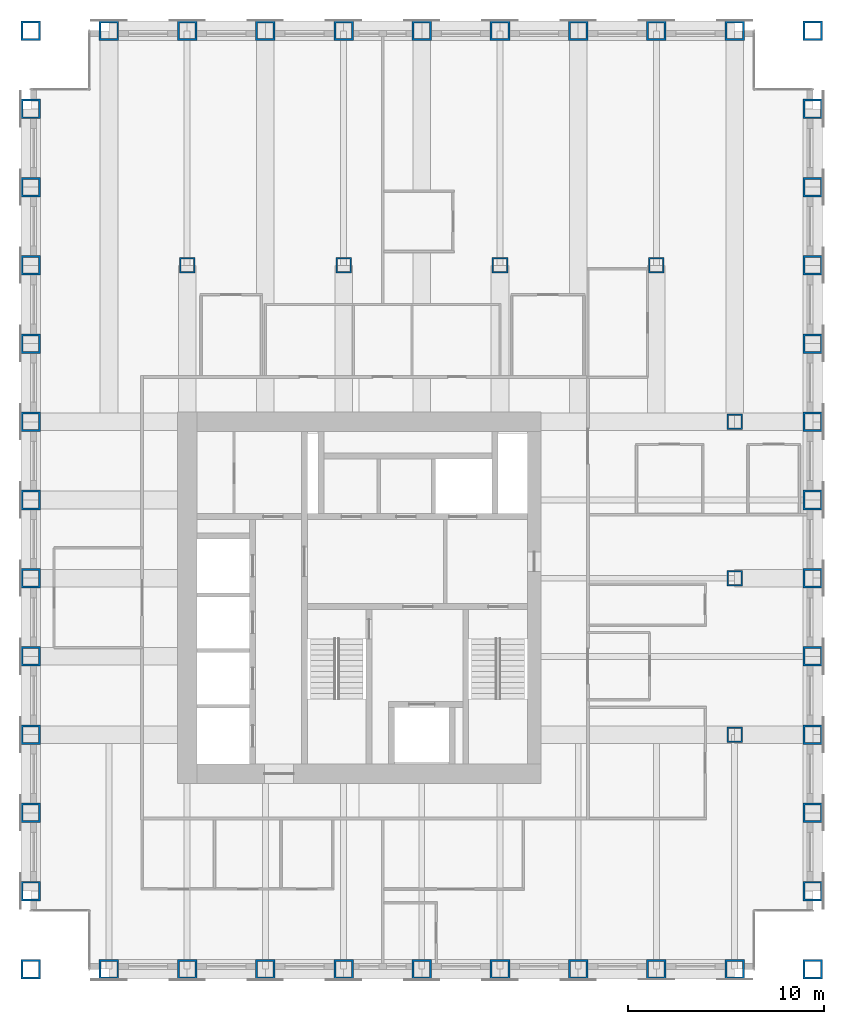
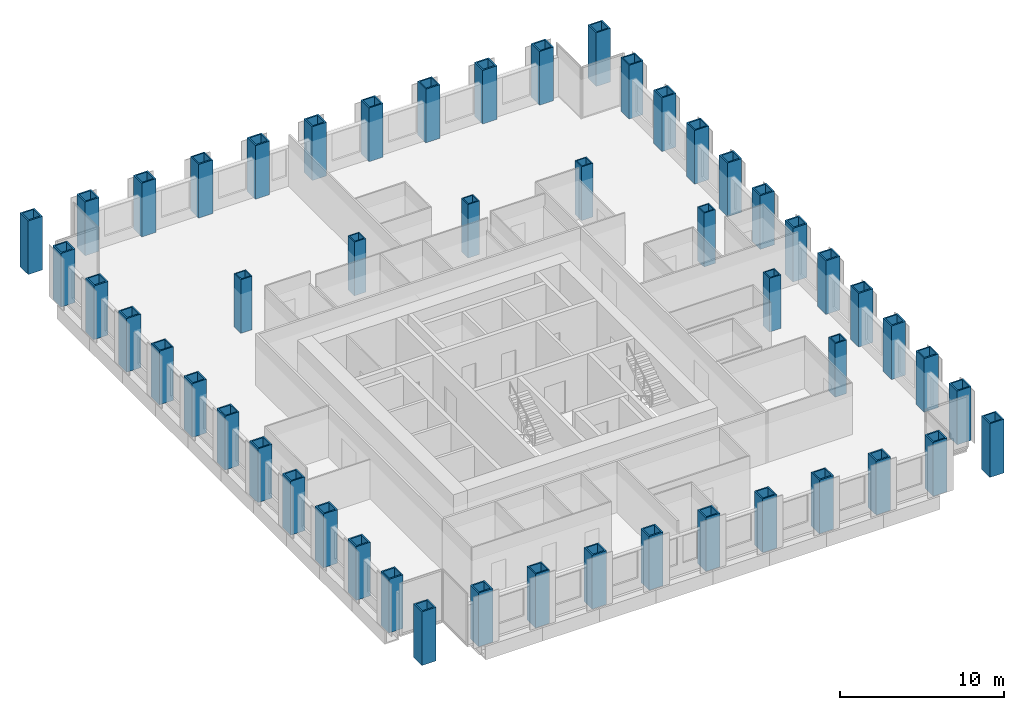
# One storey, part 1 of 14: 51 columns.
"""IFC4 building model written with IfcOpenShell, lengths in metres."""

import ifcopenshell
import ifcopenshell.guid

model = None  # the IFC model being written
_history = None  # IfcOwnerHistory: only IFC2X3 demands one
_inside = {}  # id of a spatial element -> (the spatial element, [elements in it])
_under = {}  # id of a project, library or spatial element -> (it, [spatial elements below it])
_declared = {}  # id of a project -> (the project, [libraries it declares])
_typed = {}  # id of a type object -> (the type object, [elements of that type])
_made_of = {}  # id of a material, layer set ... -> (it, [elements and type objects made of it])


def new_model(schema):
    """Start an empty IFC model of exactly this schema.

    Asked for "IFC4X3", IfcOpenShell would pick the latest addendum, in which some entities
    have other attributes; the version numbers below select the first issue.
    IFC2X3 requires an IfcOwnerHistory on every rooted entity: one is made here for all.
    """
    global model, _history
    if schema == "IFC4X3":
        model = ifcopenshell.file(schema_version=(4, 3, 0, 0))
    else:
        model = ifcopenshell.file(schema=schema)
    _inside.clear()
    _under.clear()
    _declared.clear()
    _typed.clear()
    _made_of.clear()
    _history = None
    if model.schema == "IFC2X3":
        org = make("IfcOrganization", Name="unknown")
        user = make(
            "IfcPersonAndOrganization",
            ThePerson=make("IfcPerson", FamilyName="unknown"),
            TheOrganization=org,
        )
        app = make(
            "IfcApplication",
            ApplicationDeveloper=org,
            Version="unknown",
            ApplicationFullName="unknown",
            ApplicationIdentifier="unknown",
        )
        _history = make(
            "IfcOwnerHistory",
            OwningUser=user,
            OwningApplication=app,
            ChangeAction="ADDED",
            CreationDate=0,
        )
    return model


def make(cls, **values):
    """One entity of the class cls with the attributes given. An attribute that is None is left unset."""
    return model.create_entity(
        cls, **{name: value for name, value in values.items() if value is not None}
    )


def rooted(cls, **values):
    """An entity with a GlobalId (a new one), such as an element, a storey or a relation."""
    return make(cls, GlobalId=ifcopenshell.guid.new(), OwnerHistory=_history, **values)


def si_unit(unit_type, name, prefix=None):
    """IfcSIUnit, for example si_unit("LENGTHUNIT", "METRE", prefix="MILLI")."""
    return make("IfcSIUnit", UnitType=unit_type, Prefix=prefix, Name=name)


def assignment(units):
    """IfcUnitAssignment: the units of a project."""
    return None if units is None else make("IfcUnitAssignment", Units=units)


def point(xyz):
    """IfcCartesianPoint."""
    return None if xyz is None else make("IfcCartesianPoint", Coordinates=xyz)


def direction(xyz):
    """IfcDirection."""
    return None if xyz is None else make("IfcDirection", DirectionRatios=xyz)


def frame(location, z_axis=None, x_axis=None):
    """IfcAxis2Placement3D, a coordinate frame: its origin and axes. An axis left out is left unset."""
    return make(
        "IfcAxis2Placement3D",
        Location=point(location),
        Axis=direction(z_axis),
        RefDirection=direction(x_axis),
    )


def frame_2d(location, x_axis=None):
    """IfcAxis2Placement2D, a coordinate frame in the plane: its origin and x axis."""
    return make(
        "IfcAxis2Placement2D", Location=point(location), RefDirection=direction(x_axis)
    )


def origin():
    """The frame at (0, 0, 0) with its axes left unset."""
    return frame((0.0, 0.0, 0.0))


def origin_2d():
    """The frame at (0, 0) in the plane with its x axis left unset."""
    return frame_2d((0.0, 0.0))


def place(relative_to, where):
    """IfcLocalPlacement: puts the frame where relative to a parent placement (None: the world)."""
    return make(
        "IfcLocalPlacement", PlacementRelTo=relative_to, RelativePlacement=where
    )


def context(
    kind, dimensions, precision=None, world=None, true_north=None, identifier=None
):
    """IfcGeometricRepresentationContext, for example the 3D "Model" context."""
    return make(
        "IfcGeometricRepresentationContext",
        ContextIdentifier=identifier,
        ContextType=kind,
        CoordinateSpaceDimension=dimensions,
        Precision=precision,
        WorldCoordinateSystem=world,
        TrueNorth=true_north,
    )


def subcontext(parent, identifier, kind, view, scale=None):
    """IfcGeometricRepresentationSubContext, for example "Body" below "Model"."""
    return make(
        "IfcGeometricRepresentationSubContext",
        ContextIdentifier=identifier,
        ContextType=kind,
        ParentContext=parent,
        TargetScale=scale,
        TargetView=view,
    )


def project(units=None, contexts=None):
    """IfcProject with its units and contexts."""
    return rooted(
        "IfcProject",
        Name="project",
        RepresentationContexts=contexts,
        UnitsInContext=assignment(units),
    )


def spatial(cls, under=None, at=None, **own):
    """A site, building, storey or space (cls), placed at a placement, below another one or the project."""
    s = rooted(cls, ObjectPlacement=at, **own)
    if under is not None:
        _under.setdefault(under.id(), (under, []))[1].append(s)
    return s


def profile(cls, at=None, kind="AREA", **sizes):
    """A parametric profile (cls). Its sizes go by their IFC names, for example OverallWidth=200.0."""
    return make(cls, ProfileType=kind, Position=at, **sizes)


def hollow_rectangle(**sizes):
    """IfcRectangleHollowProfileDef."""
    return profile("IfcRectangleHollowProfileDef", **sizes)


def extrude(swept, where, along, depth):
    """IfcExtrudedAreaSolid: the profile swept, set in the frame where, extruded along a direction by depth."""
    return make(
        "IfcExtrudedAreaSolid",
        SweptArea=swept,
        Position=where,
        ExtrudedDirection=direction(along),
        Depth=depth,
    )


def shape(context_of_items, identifier, shape_type, items):
    """IfcShapeRepresentation: the items that make up one representation, for example the "Body"."""
    return make(
        "IfcShapeRepresentation",
        ContextOfItems=context_of_items,
        RepresentationIdentifier=identifier,
        RepresentationType=shape_type,
        Items=items,
    )


def material(Name=None, Category=None):
    """IfcMaterial."""
    return make("IfcMaterial", Name=Name, Category=Category)


def material_profile(
    of_material, cross_section, Name=None, Category=None, Priority=None
):
    """IfcMaterialProfile: a cross section and its material."""
    return make(
        "IfcMaterialProfile",
        Name=Name,
        Material=of_material,
        Profile=cross_section,
        Priority=Priority,
        Category=Category,
    )


def profile_set(profiles, Name=None, composite=None):
    """IfcMaterialProfileSet."""
    return make(
        "IfcMaterialProfileSet",
        Name=Name,
        MaterialProfiles=profiles,
        CompositeProfile=composite,
    )


def made_of(thing, what):
    """Note that an element or type object is made of a material, layer set ...; save() writes the relation."""
    if what is not None:
        _made_of.setdefault(what.id(), (what, []))[1].append(thing)
    return thing


def type_object(cls, material=None, **own):
    """A type object (cls), such as IfcWallType, which elements share."""
    return made_of(rooted(cls, **own), material)


def element(
    cls,
    number,
    at=None,
    inside=None,
    cuts=None,
    type_object=None,
    material=None,
    context=None,
    identifier="Body",
    shape_type=None,
    held_by="IfcProductDefinitionShape",
    body=None,
    shapes=None,
    **own,
):
    """One element of the class cls, such as IfcWall. Its Tag is "e" and its number.

    at: its placement. inside: the storey or other place that contains it. cuts: it is an
    opening in that element (IfcRelVoidsElement). A single representation is given by context,
    identifier, shape_type and body (its items); several are given by shapes. held_by: the class
    of the entity that holds the representations. save() writes the other relations.
    """
    e = rooted(cls, Tag="e%d" % number, ObjectPlacement=at, **own)
    if body is not None:
        shapes = [shape(context, identifier, shape_type, body)]
    if shapes is not None:
        e.Representation = make(held_by, Representations=shapes)
    if inside is not None:
        _inside.setdefault(inside.id(), (inside, []))[1].append(e)
    if cuts is not None:
        rooted(
            "IfcRelVoidsElement", RelatingBuildingElement=cuts, RelatedOpeningElement=e
        )
    if type_object is not None:
        _typed.setdefault(type_object.id(), (type_object, []))[1].append(e)
    return made_of(e, material)


def aggregate(whole, parts):
    """IfcRelAggregates: a whole, such as a stair, and the parts it consists of."""
    return rooted("IfcRelAggregates", RelatingObject=whole, RelatedObjects=parts)


def save(model, path):
    """Write the relations noted so far, then the file.

    IfcRelAggregates (storeys below a building ...), IfcRelContainedInSpatialStructure (elements
    in a storey), IfcRelDefinesByType, IfcRelAssociatesMaterial and IfcRelDeclares: one each for
    every whole, place, type object, material and project.
    """
    for whole, parts in _under.values():
        aggregate(whole, parts)
    for where, things in _inside.values():
        rooted(
            "IfcRelContainedInSpatialStructure",
            RelatedElements=things,
            RelatingStructure=where,
        )
    for kind, things in _typed.values():
        rooted("IfcRelDefinesByType", RelatedObjects=things, RelatingType=kind)
    for what, things in _made_of.values():
        rooted("IfcRelAssociatesMaterial", RelatedObjects=things, RelatingMaterial=what)
    for by, libraries in _declared.values():
        rooted("IfcRelDeclares", RelatingContext=by, RelatedDefinitions=libraries)
    model.write(path)


model = new_model("IFC4")

# Units and contexts
model_context = context("Model", 3, precision=1e-05, world=origin(), true_north=direction((0.0, 1.0)))
body_context = subcontext(model_context, "Body", "Model", "MODEL_VIEW")
ifc_project = project(units=[si_unit("LENGTHUNIT", "METRE"), si_unit("AREAUNIT", "SQUARE_METRE"), si_unit("VOLUMEUNIT", "CUBIC_METRE"), si_unit("PLANEANGLEUNIT", "RADIAN"), si_unit("MASSUNIT", "GRAM", prefix="KILO")], contexts=[model_context])

# Site, building, storey
site_placement = place(None, origin())
site = spatial("IfcSite", under=ifc_project, at=site_placement, CompositionType="ELEMENT")
building_placement = place(site_placement, origin())
building = spatial("IfcBuilding", under=site, at=building_placement, Name="Rimbunsela Tower", CompositionType="ELEMENT")
storey_placement = place(building_placement, frame((0.0, 0.0, 230.199951171875)))
storey = spatial("IfcBuildingStorey", under=building, at=storey_placement, Name="L55", CompositionType="ELEMENT", Elevation=230.199951171875)

# Columns
ifc_material_1 = material(Name="Steel BJ 55 (fy 410 MPa)", Category="steel")
ifc_material_profile_1 = material_profile(ifc_material_1, hollow_rectangle(XDim=1.0, YDim=1.0, WallThickness=0.10009765625, at=origin_2d()), Name="BOX 1000x1000x100")
ifc_profile_set_1 = profile_set([ifc_material_profile_1], Name="Steel BJ 55 (fy 410 MPa)")
column_type_1 = type_object("IfcColumnType", Name="Column BOX 1000x1000x100", PredefinedType="COLUMN", material=ifc_profile_set_1)
for number, where, z_axis, x_axis, name in (
    (1, (10.0, 8.0, 0.0), (0.0, 0.0, 1.0), (1.0, 0.0, 0.0), "Column C1 5/D L55"),
    (2, (10.0, 12.0, 0.0), (0.0, 0.0, 1.0), (1.0, 0.0, 0.0), "Column C1 5/E L55"),
    (3, (10.0, 16.0, 0.0), (0.0, 0.0, 1.0), (1.0, 0.0, 0.0), "Column C1 5/F L55"),
    (4, (10.0, 20.0, 0.0), (0.0, 0.0, 1.0), (1.0, 0.0, 0.0), "Column C1 5/G L55"),
    (5, (10.0, 24.0, 0.0), (0.0, 0.0, 1.0), (1.0, 0.0, 0.0), "Column C1 5/H L55"),
    (6, (10.0, 28.0, 0.0), (0.0, 0.0, 1.0), (1.0, 0.0, 0.0), "Column C1 5/J L55"),
    (7, (10.0, 32.0, 0.0), (0.0, 0.0, 1.0), (1.0, 0.0, 0.0), "Column C1 5/K L55"),
    (8, (10.0, 36.0, 0.0), (0.0, 0.0, 1.0), (1.0, 0.0, 0.0), "Column C1 5/L L55"),
    (9, (10.0, 40.0, 0.0), (0.0, 0.0, 1.0), (1.0, 0.0, 0.0), "Column C1 5/M L55"),
    (10, (10.0, 44.0, 0.0), (0.0, 0.0, 1.0), (1.0, 0.0, 0.0), "Column C1 5/N L55"),
    (11, (10.0, 48.0, 0.0), (0.0, 0.0, 1.0), (1.0, 0.0, 0.0), "Column C1 5/P L55"),
    (12, (10.0, 52.0, 0.0), (0.0, 0.0, 1.0), (1.0, 0.0, 0.0), "Column C1 5/Q L55"),
    (13, (10.0, 56.0, 0.0), (0.0, 0.0, 1.0), (1.0, 0.0, 0.0), "Column C1 5/R L55"),
    (14, (14.0, 8.0, 0.0), (0.0, 0.0, 1.0), (1.0, 0.0, 0.0), "Column C1 6/D L55"),
    (15, (14.0, 56.0, 0.0), (0.0, 0.0, 1.0), (1.0, 0.0, 0.0), "Column C1 6/R L55"),
    (16, (18.0, 8.0, 0.0), (0.0, 0.0, 1.0), (1.0, 0.0, 0.0), "Column C1 7/D L55"),
    (17, (18.0, 56.0, 0.0), (0.0, 0.0, 1.0), (1.0, 0.0, 0.0), "Column C1 7/R L55"),
    (18, (22.0, 8.0, 0.0), (0.0, 0.0, 1.0), (1.0, 0.0, 0.0), "Column C1 8/D L55"),
    (19, (22.0, 56.0, 0.0), (0.0, 0.0, 1.0), (1.0, 0.0, 0.0), "Column C1 8/R L55"),
    (20, (26.0, 8.0, 0.0), (0.0, 0.0, 1.0), (1.0, 0.0, 0.0), "Column C1 9/D L55"),
    (21, (26.0, 56.0, 0.0), (0.0, 0.0, 1.0), (1.0, 0.0, 0.0), "Column C1 9/R L55"),
    (22, (30.0, 8.0, 0.0), (0.0, 0.0, 1.0), (1.0, 0.0, 0.0), "Column C1 10/D L55"),
    (23, (30.0, 56.0, 0.0), (0.0, 0.0, 1.0), (1.0, 0.0, 0.0), "Column C1 10/R L55"),
    (24, (34.0, 8.0, 0.0), (0.0, 0.0, 1.0), (1.0, 0.0, 0.0), "Column C1 11/D L55"),
    (25, (34.0, 56.0, 0.0), (0.0, 0.0, 1.0), (1.0, 0.0, 0.0), "Column C1 11/R L55"),
    (26, (38.0, 8.0, 0.0), (0.0, 0.0, 1.0), (1.0, 0.0, 0.0), "Column C1 12/D L55"),
    (27, (38.0, 56.0, 0.0), (0.0, 0.0, 1.0), (1.0, 0.0, 0.0), "Column C1 12/R L55"),
    (28, (42.0, 8.0, 0.0), (0.0, 0.0, 1.0), (1.0, 0.0, 0.0), "Column C1 13/D L55"),
    (29, (42.0, 56.0, 0.0), (0.0, 0.0, 1.0), (1.0, 0.0, 0.0), "Column C1 13/R L55"),
    (30, (46.0, 8.0, 0.0), (0.0, 0.0, 1.0), (1.0, 0.0, 0.0), "Column C1 14/D L55"),
    (31, (46.0, 56.0, 0.0), (0.0, 0.0, 1.0), (1.0, 0.0, 0.0), "Column C1 14/R L55"),
    (32, (50.0, 8.0, 0.0), (0.0, 0.0, 1.0), (1.0, 0.0, 0.0), "Column C1 15/D L55"),
    (33, (50.0, 12.0, 0.0), (0.0, 0.0, 1.0), (1.0, 0.0, 0.0), "Column C1 15/E L55"),
    (34, (50.0, 16.0, 0.0), (0.0, 0.0, 1.0), (1.0, 0.0, 0.0), "Column C1 15/F L55"),
    (35, (50.0, 20.0, 0.0), (0.0, 0.0, 1.0), (1.0, 0.0, 0.0), "Column C1 15/G L55"),
    (36, (50.0, 24.0, 0.0), (0.0, 0.0, 1.0), (1.0, 0.0, 0.0), "Column C1 15/H L55"),
    (37, (50.0, 28.0, 0.0), (0.0, 0.0, 1.0), (1.0, 0.0, 0.0), "Column C1 15/J L55"),
    (38, (50.0, 32.0, 0.0), (0.0, 0.0, 1.0), (1.0, 0.0, 0.0), "Column C1 15/K L55"),
    (39, (50.0, 36.0, 0.0), (0.0, 0.0, 1.0), (1.0, 0.0, 0.0), "Column C1 15/L L55"),
    (40, (50.0, 40.0, 0.0), (0.0, 0.0, 1.0), (1.0, 0.0, 0.0), "Column C1 15/M L55"),
    (41, (50.0, 44.0, 0.0), (0.0, 0.0, 1.0), (1.0, 0.0, 0.0), "Column C1 15/N L55"),
    (42, (50.0, 48.0, 0.0), (0.0, 0.0, 1.0), (1.0, 0.0, 0.0), "Column C1 15/P L55"),
    (43, (50.0, 52.0, 0.0), (0.0, 0.0, 1.0), (1.0, 0.0, 0.0), "Column C1 15/Q L55"),
    (44, (50.0, 56.0, 0.0), (0.0, 0.0, 1.0), (1.0, 0.0, 0.0), "Column C1 15/R L55"),
):
    element("IfcColumn", number, at=place(storey_placement, frame(where, z_axis=z_axis, x_axis=x_axis)), inside=storey, type_object=column_type_1, Name=name, PredefinedType="COLUMN", context=body_context, shape_type="SweptSolid", body=[
        extrude(hollow_rectangle(XDim=1.0, YDim=1.0, WallThickness=0.10009765625, at=origin_2d()), origin(), (0.0, 0.0, 1.0), 4.0),
    ])
ifc_material_2 = material(Name="Steel BJ 55 (fy 410 MPa)", Category="steel")
ifc_material_profile_2 = material_profile(ifc_material_2, hollow_rectangle(XDim=0.800048828125, YDim=0.800048828125, WallThickness=0.080078125, at=origin_2d()), Name="BOX 800x800x80")
ifc_profile_set_2 = profile_set([ifc_material_profile_2], Name="Steel BJ 55 (fy 410 MPa)")
column_type_2 = type_object("IfcColumnType", Name="Column BOX 800x800x80", PredefinedType="COLUMN", material=ifc_profile_set_2)
for number, where, z_axis, x_axis, name in (
    (45, (18.0, 44.0, 0.0), (0.0, 0.0, 1.0), (1.0, 0.0, 0.0), "Column C2 7/N L55"),
    (46, (26.0, 44.0, 0.0), (0.0, 0.0, 1.0), (1.0, 0.0, 0.0), "Column C2 9/N L55"),
    (47, (34.0, 44.0, 0.0), (0.0, 0.0, 1.0), (1.0, 0.0, 0.0), "Column C2 11/N L55"),
    (48, (42.0, 44.0, 0.0), (0.0, 0.0, 1.0), (1.0, 0.0, 0.0), "Column C2 13/N L55"),
    (49, (46.0, 20.0, 0.0), (0.0, 0.0, 1.0), (1.0, 0.0, 0.0), "Column C2 14/G L55"),
    (50, (46.0, 28.0, 0.0), (0.0, 0.0, 1.0), (1.0, 0.0, 0.0), "Column C2 14/J L55"),
    (51, (46.0, 36.0, 0.0), (0.0, 0.0, 1.0), (1.0, 0.0, 0.0), "Column C2 14/L L55"),
):
    element("IfcColumn", number, at=place(storey_placement, frame(where, z_axis=z_axis, x_axis=x_axis)), inside=storey, type_object=column_type_2, Name=name, PredefinedType="COLUMN", context=body_context, shape_type="SweptSolid", body=[
        extrude(hollow_rectangle(XDim=0.800048828125, YDim=0.800048828125, WallThickness=0.080078125, at=origin_2d()), origin(), (0.0, 0.0, 1.0), 4.0),
    ])

save(model, "model.ifc")
